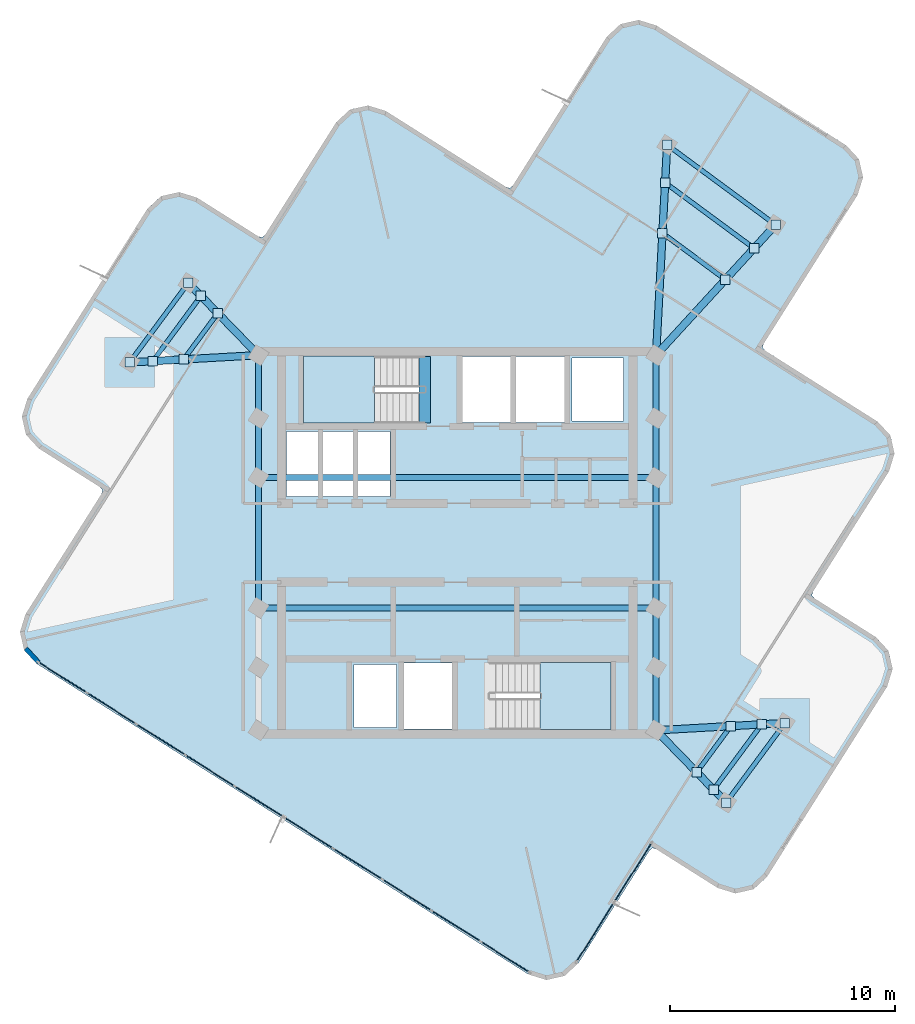
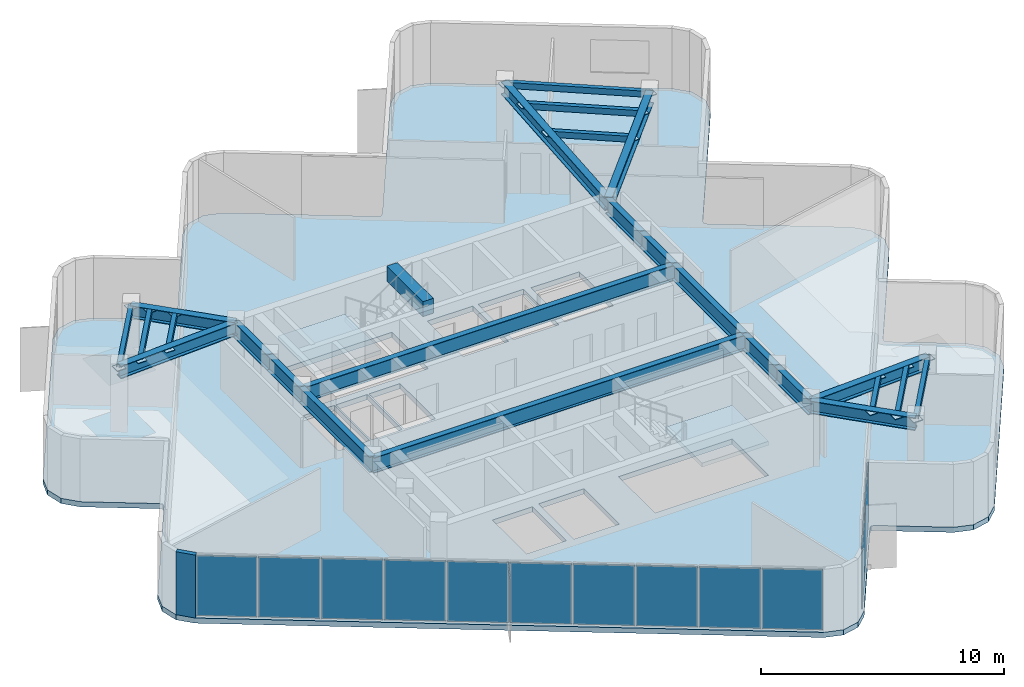
# One storey, part 3 of 8: 30 plates, 26 beams, 3 slabs, 1 wall, 4 elements without a shape of their own.
"""IFC4 building model written with IfcOpenShell, lengths in metres."""

from ifc_helpers import new_model, si_unit, direction, frame, frame_2d, origin, origin_2d, place, context, subcontext, project, spatial, polyline, rectangle, hollow_rectangle, i_section, outline, extrude, material, layer, layer_set, material_profile, profile_set, type_object, element, aggregate, save


model = new_model("IFC4")

# Units and contexts
model_context = context("Model", 3, precision=1e-05, world=origin(), true_north=direction((0.0, 1.0)))
body_context = subcontext(model_context, "Body", "Model", "MODEL_VIEW")
ifc_project = project(units=[si_unit("LENGTHUNIT", "METRE"), si_unit("AREAUNIT", "SQUARE_METRE"), si_unit("VOLUMEUNIT", "CUBIC_METRE"), si_unit("PLANEANGLEUNIT", "RADIAN"), si_unit("MASSUNIT", "GRAM", prefix="KILO")], contexts=[model_context])

# Site, building, storey
site_placement = place(None, origin())
site = spatial("IfcSite", under=ifc_project, at=site_placement, CompositionType="ELEMENT")
building_placement = place(site_placement, origin())
building = spatial("IfcBuilding", under=site, at=building_placement, Name="Solmarez Civic Tower", CompositionType="ELEMENT")
storey_placement = place(building_placement, frame((0.0, 0.0, 271.43994140625)))
storey = spatial("IfcBuildingStorey", under=building, at=storey_placement, Name="L73", CompositionType="ELEMENT", Elevation=271.43994140625)

# Beams
ifc_material_1 = material(Name="Steel S355", Category="steel")
ifc_material_profile_1 = material_profile(ifc_material_1, hollow_rectangle(XDim=0.199951171875, YDim=0.300048828125, WallThickness=0.011962890625, at=origin_2d()), Name="HSS300X200X12")
ifc_profile_set_1 = profile_set([ifc_material_profile_1], Name="Steel S355")
beam_type_1 = type_object("IfcBeamType", Name="BM-JS-HSS300X200", PredefinedType="JOIST", material=ifc_profile_set_1)
beam_1_placement = place(storey_placement, frame((14.1689453125, 14.152099609375, 3.010009765625), z_axis=(-0.804687480311, 0.593698626434, 0.0), x_axis=(-0.593698626434, -0.804687480311, 0.0)))
element("IfcBeam", 1, at=beam_1_placement, inside=storey, type_object=beam_type_1, Name="L73 Secondary Floor Joist BM-L73-EA-T1", PredefinedType="JOIST", context=body_context, shape_type="SweptSolid", body=[
    extrude(hollow_rectangle(XDim=0.199951171875, YDim=0.300048828125, WallThickness=0.011962890625, at=origin_2d()), origin(), (0.0, 0.0, 1.0), 5.999755859375),
])
beam_2_placement = place(storey_placement, frame((11.93505859375, 11.715087890625, 3.010009765625), z_axis=(-0.8046818189, 0.593706299724, 0.0), x_axis=(-0.593706299724, -0.8046818189, 0.0)))
element("IfcBeam", 2, at=beam_2_placement, inside=storey, type_object=beam_type_1, Name="L73 Secondary Floor Joist JS-L73-EA-M11", PredefinedType="JOIST", context=body_context, shape_type="SweptSolid", body=[
    extrude(hollow_rectangle(XDim=0.199951171875, YDim=0.300048828125, WallThickness=0.011962890625, at=origin_2d()), origin(), (0.0, 0.0, 1.0), 3.479736328125),
])
beam_3_placement = place(storey_placement, frame((13.2119140625, 13.10791015625, 3.010009765625), z_axis=(-0.804762606031, 0.593596789019, 0.0), x_axis=(-0.593596789019, -0.804762606031, 0.0)))
element("IfcBeam", 3, at=beam_3_placement, inside=storey, type_object=beam_type_1, Name="L73 Secondary Floor Joist JS-L73-EA-M12", PredefinedType="JOIST", context=body_context, shape_type="SweptSolid", body=[
    extrude(hollow_rectangle(XDim=0.199951171875, YDim=0.300048828125, WallThickness=0.011962890625, at=origin_2d()), origin(), (0.0, 0.0, 1.0), 4.91943359375),
])
beam_4_placement = place(storey_placement, frame((-11.970947265625, 11.56591796875, 3.010009765625), z_axis=(-0.593730834471, -0.804663716219, 0.0), x_axis=(0.804663716219, -0.593730834471, 0.0)))
element("IfcBeam", 4, at=beam_4_placement, inside=storey, type_object=beam_type_1, Name="L73 Secondary Floor Joist BM-L73-NA-T1", PredefinedType="JOIST", context=body_context, shape_type="SweptSolid", body=[
    extrude(hollow_rectangle(XDim=0.199951171875, YDim=0.300048828125, WallThickness=0.011962890625, at=origin_2d()), origin(), (0.0, 0.0, 1.0), 4.3994140625),
])
beam_5_placement = place(storey_placement, frame((-10.659912109375, 10.215087890625, 3.010009765625), z_axis=(-0.593812477683, -0.804603468392, 0.0), x_axis=(0.804603468392, -0.593812477683, 0.0)))
element("IfcBeam", 5, at=beam_5_placement, inside=storey, type_object=beam_type_1, Name="L73 Secondary Floor Joist JS-L73-NA-M11", PredefinedType="JOIST", context=body_context, shape_type="SweptSolid", body=[
    extrude(hollow_rectangle(XDim=0.199951171875, YDim=0.300048828125, WallThickness=0.011962890625, at=origin_2d()), origin(), (0.0, 0.0, 1.0), 2.551513671875),
])
beam_6_placement = place(storey_placement, frame((-11.408935546875, 10.987060546875, 3.010009765625), z_axis=(-0.593734433343, -0.804661060735, 0.0), x_axis=(0.804661060735, -0.593734433343, 0.0)))
element("IfcBeam", 6, at=beam_6_placement, inside=storey, type_object=beam_type_1, Name="L73 Secondary Floor Joist JS-L73-NA-M12", PredefinedType="JOIST", context=body_context, shape_type="SweptSolid", body=[
    extrude(hollow_rectangle(XDim=0.199951171875, YDim=0.300048828125, WallThickness=0.011962890625, at=origin_2d()), origin(), (0.0, 0.0, 1.0), 3.60791015625),
])
beam_7_placement = place(storey_placement, frame((11.970947265625, -11.56591796875, 3.010009765625), z_axis=(0.593730834471, 0.804663716219, 0.0), x_axis=(-0.804663716219, 0.593730834471, 0.0)))
element("IfcBeam", 7, at=beam_7_placement, inside=storey, type_object=beam_type_1, Name="L73 Secondary Floor Joist BM-L73-SA-T1", PredefinedType="JOIST", context=body_context, shape_type="SweptSolid", body=[
    extrude(hollow_rectangle(XDim=0.199951171875, YDim=0.300048828125, WallThickness=0.011962890625, at=origin_2d()), origin(), (0.0, 0.0, 1.0), 4.3994140625),
])
beam_8_placement = place(storey_placement, frame((10.659912109375, -10.215087890625, 3.010009765625), z_axis=(0.593812477683, 0.804603468392, 0.0), x_axis=(-0.804603468392, 0.593812477683, 0.0)))
element("IfcBeam", 8, at=beam_8_placement, inside=storey, type_object=beam_type_1, Name="L73 Secondary Floor Joist JS-L73-SA-M11", PredefinedType="JOIST", context=body_context, shape_type="SweptSolid", body=[
    extrude(hollow_rectangle(XDim=0.199951171875, YDim=0.300048828125, WallThickness=0.011962890625, at=origin_2d()), origin(), (0.0, 0.0, 1.0), 2.551513671875),
])
beam_9_placement = place(storey_placement, frame((11.408935546875, -10.987060546875, 3.010009765625), z_axis=(0.593734433343, 0.804661060735, 0.0), x_axis=(-0.804661060735, 0.593734433343, 0.0)))
element("IfcBeam", 9, at=beam_9_placement, inside=storey, type_object=beam_type_1, Name="L73 Secondary Floor Joist JS-L73-SA-M12", PredefinedType="JOIST", context=body_context, shape_type="SweptSolid", body=[
    extrude(hollow_rectangle(XDim=0.199951171875, YDim=0.300048828125, WallThickness=0.011962890625, at=origin_2d()), origin(), (0.0, 0.0, 1.0), 3.60791015625),
])
ifc_material_2 = material(Name="Concrete C50/60", Category="concrete")
ifc_material_profile_2 = material_profile(ifc_material_2, rectangle(XDim=0.5, YDim=0.75, at=origin_2d()), Name="RC500X750")
ifc_profile_set_2 = profile_set([ifc_material_profile_2], Name="Concrete C50/60")
beam_type_2 = type_object("IfcBeamType", Name="BM-PR-RC500X750", PredefinedType="BEAM", material=ifc_profile_set_2)
beam_10_placement = place(storey_placement, frame((-1.449951171875, 5.340087890625, 3.052978515625), z_axis=(0.0, 1.0, 0.0), x_axis=(-1.0, 0.0, 0.0)))
element("IfcBeam", 10, at=beam_10_placement, inside=storey, type_object=beam_type_2, Name="L73 North Stair Threshold Beam", PredefinedType="BEAM", context=body_context, shape_type="SweptSolid", body=[
    extrude(rectangle(XDim=0.5, YDim=0.75, at=origin_2d()), origin(), (0.0, 0.0, 1.0), 2.9599609375),
])
ifc_material_profile_3 = material_profile(ifc_material_1, i_section(OverallWidth=0.327880859375, OverallDepth=0.6220703125, WebThickness=0.015380859375, FlangeThickness=0.0244140625, at=origin_2d()), Name="W24X131")
ifc_profile_set_3 = profile_set([ifc_material_profile_3], Name="Steel S355")
beam_type_3 = type_object("IfcBeamType", Name="BM-PR-W24X131", PredefinedType="BEAM", material=ifc_profile_set_3)
beam_11_placement = place(storey_placement, frame((8.85009765625, 8.35009765625, 2.84912109375), z_axis=(0.67574850583, 0.737132251953, 0.0), x_axis=(-0.737132251953, 0.67574850583, 0.0)))
element("IfcBeam", 11, at=beam_11_placement, inside=storey, type_object=beam_type_3, Name="L73 Primary Floor Beam BM-L73-EA-R1A", PredefinedType="BEAM", context=body_context, shape_type="SweptSolid", body=[
    extrude(i_section(OverallWidth=0.327880859375, OverallDepth=0.6220703125, WebThickness=0.015380859375, FlangeThickness=0.0244140625, at=origin_2d()), origin(), (0.0, 0.0, 1.0), 7.87109375),
])
beam_12_placement = place(storey_placement, frame((8.85009765625, 8.35009765625, 2.84912109375), z_axis=(0.052359315135, 0.998628310293, 0.0), x_axis=(-0.998628310293, 0.052359315135, 0.0)))
element("IfcBeam", 12, at=beam_12_placement, inside=storey, type_object=beam_type_3, Name="L73 Primary Floor Beam BM-L73-EA-R1B", PredefinedType="BEAM", context=body_context, shape_type="SweptSolid", body=[
    extrude(i_section(OverallWidth=0.327880859375, OverallDepth=0.6220703125, WebThickness=0.015380859375, FlangeThickness=0.0244140625, at=origin_2d()), origin(), (0.0, 0.0, 1.0), 9.376953125),
])
beam_13_placement = place(storey_placement, frame((-8.85009765625, 8.35009765625, 2.84912109375), z_axis=(-0.696430820305, 0.717623935309, 0.0), x_axis=(-0.717623935309, -0.696430820305, 0.0)))
element("IfcBeam", 13, at=beam_13_placement, inside=storey, type_object=beam_type_3, Name="L73 Primary Floor Beam BM-L73-NA-R1A", PredefinedType="BEAM", context=body_context, shape_type="SweptSolid", body=[
    extrude(i_section(OverallWidth=0.327880859375, OverallDepth=0.6220703125, WebThickness=0.015380859375, FlangeThickness=0.0244140625, at=origin_2d()), origin(), (0.0, 0.0, 1.0), 4.481201171875),
])
beam_14_placement = place(storey_placement, frame((-8.85009765625, 8.35009765625, 2.84912109375), z_axis=(-0.998404650863, -0.056463732917, 0.0), x_axis=(0.056463732917, -0.998404650863, 0.0)))
element("IfcBeam", 14, at=beam_14_placement, inside=storey, type_object=beam_type_3, Name="L73 Primary Floor Beam BM-L73-NA-R1B", PredefinedType="BEAM", context=body_context, shape_type="SweptSolid", body=[
    extrude(i_section(OverallWidth=0.327880859375, OverallDepth=0.6220703125, WebThickness=0.015380859375, FlangeThickness=0.0244140625, at=origin_2d()), origin(), (0.0, 0.0, 1.0), 5.7421875),
])
beam_15_placement = place(storey_placement, frame((8.85009765625, -8.35009765625, 2.84912109375), z_axis=(0.696430820305, -0.717623935309, 0.0), x_axis=(0.717623935309, 0.696430820305, 0.0)))
element("IfcBeam", 15, at=beam_15_placement, inside=storey, type_object=beam_type_3, Name="L73 Primary Floor Beam BM-L73-SA-R1A", PredefinedType="BEAM", context=body_context, shape_type="SweptSolid", body=[
    extrude(i_section(OverallWidth=0.327880859375, OverallDepth=0.6220703125, WebThickness=0.015380859375, FlangeThickness=0.0244140625, at=origin_2d()), origin(), (0.0, 0.0, 1.0), 4.481201171875),
])
beam_16_placement = place(storey_placement, frame((8.85009765625, -8.35009765625, 2.84912109375), z_axis=(0.998404650863, 0.056463732917, 0.0), x_axis=(-0.056463732917, 0.998404650863, 0.0)))
element("IfcBeam", 16, at=beam_16_placement, inside=storey, type_object=beam_type_3, Name="L73 Primary Floor Beam BM-L73-SA-R1B", PredefinedType="BEAM", context=body_context, shape_type="SweptSolid", body=[
    extrude(i_section(OverallWidth=0.327880859375, OverallDepth=0.6220703125, WebThickness=0.015380859375, FlangeThickness=0.0244140625, at=origin_2d()), origin(), (0.0, 0.0, 1.0), 5.7421875),
])
ifc_material_profile_4 = material_profile(ifc_material_1, i_section(OverallWidth=0.26708984375, OverallDepth=0.761962890625, WebThickness=0.014404296875, FlangeThickness=0.021484375, at=origin_2d()), Name="W30X116")
ifc_profile_set_4 = profile_set([ifc_material_profile_4], Name="Steel S355")
beam_type_4 = type_object("IfcBeamType", Name="BM-PR-W30X116", PredefinedType="BEAM", material=ifc_profile_set_4)
beam_17_placement = place(storey_placement, frame((-8.85009765625, -2.89990234375, 2.779052734375), z_axis=(0.0, 1.0, 0.0), x_axis=(-1.0, 0.0, 0.0)))
element("IfcBeam", 17, at=beam_17_placement, inside=storey, type_object=beam_type_4, Name="L73 Primary Floor Beam BM-L73-HC2-HC3", PredefinedType="BEAM", context=body_context, shape_type="SweptSolid", body=[
    extrude(i_section(OverallWidth=0.26708984375, OverallDepth=0.761962890625, WebThickness=0.014404296875, FlangeThickness=0.021484375, at=origin_2d()), origin(), (0.0, 0.0, 1.0), 5.7998046875),
])
beam_18_placement = place(storey_placement, frame((-8.85009765625, 2.89990234375, 2.779052734375), z_axis=(0.0, 1.0, 0.0), x_axis=(-1.0, 0.0, 0.0)))
element("IfcBeam", 18, at=beam_18_placement, inside=storey, type_object=beam_type_4, Name="L73 Primary Floor Beam BM-L73-HC3-HC4", PredefinedType="BEAM", context=body_context, shape_type="SweptSolid", body=[
    extrude(i_section(OverallWidth=0.26708984375, OverallDepth=0.761962890625, WebThickness=0.014404296875, FlangeThickness=0.021484375, at=origin_2d()), origin(), (0.0, 0.0, 1.0), 2.650146484375),
])
for number, where, z_axis, x_axis, name in (
    (19, (-8.85009765625, 5.550048828125, 2.779052734375), (0.0, 1.0, 0.0), (-1.0, 0.0, 0.0), "L73 Primary Floor Beam BM-L73-HC4-HC9"),
    (20, (8.85009765625, -8.35009765625, 2.779052734375), (0.0, 1.0, 0.0), (-1.0, 0.0, 0.0), "L73 Primary Floor Beam BM-L73-HC10-HC5"),
):
    element("IfcBeam", number, at=place(storey_placement, frame(where, z_axis=z_axis, x_axis=x_axis)), inside=storey, type_object=beam_type_4, Name=name, PredefinedType="BEAM", context=body_context, shape_type="SweptSolid", body=[
        extrude(i_section(OverallWidth=0.26708984375, OverallDepth=0.761962890625, WebThickness=0.014404296875, FlangeThickness=0.021484375, at=origin_2d()), origin(), (0.0, 0.0, 1.0), 2.800048828125),
    ])
beam_19_placement = place(storey_placement, frame((8.85009765625, -5.550048828125, 2.779052734375), z_axis=(0.0, 1.0, 0.0), x_axis=(-1.0, 0.0, 0.0)))
element("IfcBeam", 21, at=beam_19_placement, inside=storey, type_object=beam_type_4, Name="L73 Primary Floor Beam BM-L73-HC5-HC6", PredefinedType="BEAM", context=body_context, shape_type="SweptSolid", body=[
    extrude(i_section(OverallWidth=0.26708984375, OverallDepth=0.761962890625, WebThickness=0.014404296875, FlangeThickness=0.021484375, at=origin_2d()), origin(), (0.0, 0.0, 1.0), 2.650146484375),
])
beam_20_placement = place(storey_placement, frame((8.85009765625, -2.89990234375, 2.779052734375), z_axis=(0.0, 1.0, 0.0), x_axis=(-1.0, 0.0, 0.0)))
element("IfcBeam", 22, at=beam_20_placement, inside=storey, type_object=beam_type_4, Name="L73 Primary Floor Beam BM-L73-HC6-HC7", PredefinedType="BEAM", context=body_context, shape_type="SweptSolid", body=[
    extrude(i_section(OverallWidth=0.26708984375, OverallDepth=0.761962890625, WebThickness=0.014404296875, FlangeThickness=0.021484375, at=origin_2d()), origin(), (0.0, 0.0, 1.0), 5.7998046875),
])
beam_21_placement = place(storey_placement, frame((8.85009765625, 2.89990234375, 2.779052734375), z_axis=(0.0, 1.0, 0.0), x_axis=(-1.0, 0.0, 0.0)))
element("IfcBeam", 23, at=beam_21_placement, inside=storey, type_object=beam_type_4, Name="L73 Primary Floor Beam BM-L73-HC7-HC8", PredefinedType="BEAM", context=body_context, shape_type="SweptSolid", body=[
    extrude(i_section(OverallWidth=0.26708984375, OverallDepth=0.761962890625, WebThickness=0.014404296875, FlangeThickness=0.021484375, at=origin_2d()), origin(), (0.0, 0.0, 1.0), 2.650146484375),
])
beam_22_placement = place(storey_placement, frame((8.85009765625, 5.550048828125, 2.779052734375), z_axis=(0.0, 1.0, 0.0), x_axis=(-1.0, 0.0, 0.0)))
element("IfcBeam", 24, at=beam_22_placement, inside=storey, type_object=beam_type_4, Name="L73 Primary Floor Beam BM-L73-HC8-HC11", PredefinedType="BEAM", context=body_context, shape_type="SweptSolid", body=[
    extrude(i_section(OverallWidth=0.26708984375, OverallDepth=0.761962890625, WebThickness=0.014404296875, FlangeThickness=0.021484375, at=origin_2d()), origin(), (0.0, 0.0, 1.0), 2.800048828125),
])
for number, where, z_axis, x_axis, name in (
    (25, (-8.85009765625, -2.89990234375, 2.779052734375), (1.0, 0.0, 0.0), (0.0, 1.0, 0.0), "L73 Primary Floor Beam BM-L73-HC2-HC6"),
    (26, (-8.85009765625, 2.89990234375, 2.779052734375), (1.0, 0.0, 0.0), (0.0, 1.0, 0.0), "L73 Primary Floor Beam BM-L73-HC3-HC7"),
):
    element("IfcBeam", number, at=place(storey_placement, frame(where, z_axis=z_axis, x_axis=x_axis)), inside=storey, type_object=beam_type_4, Name=name, PredefinedType="BEAM", context=body_context, shape_type="SweptSolid", body=[
        extrude(i_section(OverallWidth=0.26708984375, OverallDepth=0.761962890625, WebThickness=0.014404296875, FlangeThickness=0.021484375, at=origin_2d()), origin(), (0.0, 0.0, 1.0), 17.7001953125),
    ])

# Curtain wall, plates
ifc_material_3 = material(Name="Bronze Anodised Aluminium EN AW-6063 T6", Category="aluminium")
ifc_layer_1 = layer(ifc_material_3, 0.1650390625)
ifc_layer_set_1 = layer_set([ifc_layer_1], Name="Bronze Anodised Aluminium EN AW-6063 T6")
curtain_wall_type = type_object("IfcCurtainWallType", Name="CW-SYS-4", PredefinedType="NOTDEFINED", material=ifc_layer_set_1)
curtain_wall_1_placement = place(storey_placement, origin())
curtain_wall_1 = element("IfcCurtainWall", 27, at=curtain_wall_1_placement, inside=storey, type_object=curtain_wall_type, Name="L73 Stick-Built Curtain Wall 1", PredefinedType="NOTDEFINED")
ifc_material_4 = material(Name="Solar Control Low-E Laminated Vision Glass", Category="glass")
ifc_layer_2 = layer(ifc_material_4, 0.0400390625)
ifc_layer_set_2 = layer_set([ifc_layer_2], Name="Solar Control Low-E Laminated Vision Glass")
plate_type_1 = type_object("IfcPlateType", Name="CWP-GLAZ-40", PredefinedType="CURTAIN_PANEL", material=ifc_layer_set_2)
plate_1_placement = place(storey_placement, frame((7.826416015625, -14.667236328125, 0.070068359375), z_axis=(0.0, 0.0, 1.0), x_axis=(-0.533933661678, -0.845526371515, 0.0)))
plate_1 = element("IfcPlate", 28, at=plate_1_placement, type_object=plate_type_1, Name="CWS4 panel 1.1", PredefinedType="CURTAIN_PANEL", context=body_context, shape_type="SweptSolid", body=[
    extrude(rectangle(XDim=3.080810546875, YDim=0.0400390625, at=origin_2d()), origin(), (0.0, 0.0, 1.0), 3.02001953125),
])
plate_2_placement = place(storey_placement, frame((6.1494140625, -17.32275390625, 0.070068359375), z_axis=(0.0, 0.0, 1.0), x_axis=(-0.533933661678, -0.845526371515, 0.0)))
plate_2 = element("IfcPlate", 29, at=plate_2_placement, type_object=plate_type_1, Name="CWS4 panel 2.1", PredefinedType="CURTAIN_PANEL", context=body_context, shape_type="SweptSolid", body=[
    extrude(rectangle(XDim=3.080810546875, YDim=0.0400390625, at=origin_2d()), origin(), (0.0, 0.0, 1.0), 3.02001953125),
])
aggregate(curtain_wall_1, [plate_1, plate_2])

curtain_wall_2_placement = place(storey_placement, origin())
curtain_wall_2 = element("IfcCurtainWall", 30, at=curtain_wall_2_placement, inside=storey, type_object=curtain_wall_type, Name="L73 Stick-Built Curtain Wall 2", PredefinedType="NOTDEFINED")
plate_3_placement = place(storey_placement, frame((2.132568359375, -18.438720703125, 0.070068359375), z_axis=(0.0, 0.0, 1.0), x_axis=(-0.845459569089, 0.53403943397, 0.0)))
plate_3 = element("IfcPlate", 31, at=plate_3_placement, type_object=plate_type_1, Name="CWS4 panel 1.1", PredefinedType="CURTAIN_PANEL", context=body_context, shape_type="SweptSolid", body=[
    extrude(rectangle(XDim=2.502197265625, YDim=0.0400390625, at=origin_2d()), origin(), (0.0, 0.0, 1.0), 3.02001953125),
])
plate_4_placement = place(storey_placement, frame((-0.046630859375, -17.0625, 0.070068359375), z_axis=(0.0, 0.0, 1.0), x_axis=(-0.845459569089, 0.53403943397, 0.0)))
plate_4 = element("IfcPlate", 32, at=plate_4_placement, type_object=plate_type_1, Name="CWS4 panel 2.1", PredefinedType="CURTAIN_PANEL", context=body_context, shape_type="SweptSolid", body=[
    extrude(rectangle(XDim=2.5322265625, YDim=0.0400390625, at=origin_2d()), origin(), (0.0, 0.0, 1.0), 3.02001953125),
])
plate_5_placement = place(storey_placement, frame((-2.23828125, -15.677978515625, 0.070068359375), z_axis=(0.0, 0.0, 1.0), x_axis=(-0.845459569089, 0.53403943397, 0.0)))
plate_5 = element("IfcPlate", 33, at=plate_5_placement, type_object=plate_type_1, Name="CWS4 panel 3.1", PredefinedType="CURTAIN_PANEL", context=body_context, shape_type="SweptSolid", body=[
    extrude(rectangle(XDim=2.5322265625, YDim=0.0400390625, at=origin_2d()), origin(), (0.0, 0.0, 1.0), 3.02001953125),
])
plate_6_placement = place(storey_placement, frame((-4.429931640625, -14.293701171875, 0.070068359375), z_axis=(0.0, 0.0, 1.0), x_axis=(-0.845459569089, 0.53403943397, 0.0)))
plate_6 = element("IfcPlate", 34, at=plate_6_placement, type_object=plate_type_1, Name="CWS4 panel 4.1", PredefinedType="CURTAIN_PANEL", context=body_context, shape_type="SweptSolid", body=[
    extrude(rectangle(XDim=2.5322265625, YDim=0.0400390625, at=origin_2d()), origin(), (0.0, 0.0, 1.0), 3.02001953125),
])
plate_7_placement = place(storey_placement, frame((-6.62158203125, -12.9091796875, 0.070068359375), z_axis=(0.0, 0.0, 1.0), x_axis=(-0.845459569089, 0.53403943397, 0.0)))
plate_7 = element("IfcPlate", 35, at=plate_7_placement, type_object=plate_type_1, Name="CWS4 panel 5.1", PredefinedType="CURTAIN_PANEL", context=body_context, shape_type="SweptSolid", body=[
    extrude(rectangle(XDim=2.5322265625, YDim=0.0400390625, at=origin_2d()), origin(), (0.0, 0.0, 1.0), 3.02001953125),
])
plate_8_placement = place(storey_placement, frame((-8.813232421875, -11.52490234375, 0.070068359375), z_axis=(0.0, 0.0, 1.0), x_axis=(-0.845459569089, 0.53403943397, 0.0)))
plate_8 = element("IfcPlate", 36, at=plate_8_placement, type_object=plate_type_1, Name="CWS4 panel 6.1", PredefinedType="CURTAIN_PANEL", context=body_context, shape_type="SweptSolid", body=[
    extrude(rectangle(XDim=2.5322265625, YDim=0.0400390625, at=origin_2d()), origin(), (0.0, 0.0, 1.0), 3.02001953125),
])
plate_9_placement = place(storey_placement, frame((-11.005126953125, -10.140380859375, 0.070068359375), z_axis=(0.0, 0.0, 1.0), x_axis=(-0.845459569089, 0.53403943397, 0.0)))
plate_9 = element("IfcPlate", 37, at=plate_9_placement, type_object=plate_type_1, Name="CWS4 panel 7.1", PredefinedType="CURTAIN_PANEL", context=body_context, shape_type="SweptSolid", body=[
    extrude(rectangle(XDim=2.5322265625, YDim=0.0400390625, at=origin_2d()), origin(), (0.0, 0.0, 1.0), 3.02001953125),
])
plate_10_placement = place(storey_placement, frame((-13.19677734375, -8.756103515625, 0.070068359375), z_axis=(0.0, 0.0, 1.0), x_axis=(-0.845459569089, 0.53403943397, 0.0)))
plate_10 = element("IfcPlate", 38, at=plate_10_placement, type_object=plate_type_1, Name="CWS4 panel 8.1", PredefinedType="CURTAIN_PANEL", context=body_context, shape_type="SweptSolid", body=[
    extrude(rectangle(XDim=2.5322265625, YDim=0.0400390625, at=origin_2d()), origin(), (0.0, 0.0, 1.0), 3.02001953125),
])
plate_11_placement = place(storey_placement, frame((-15.388427734375, -7.37158203125, 0.070068359375), z_axis=(0.0, 0.0, 1.0), x_axis=(-0.845459569089, 0.53403943397, 0.0)))
plate_11 = element("IfcPlate", 39, at=plate_11_placement, type_object=plate_type_1, Name="CWS4 panel 9.1", PredefinedType="CURTAIN_PANEL", context=body_context, shape_type="SweptSolid", body=[
    extrude(rectangle(XDim=2.5322265625, YDim=0.0400390625, at=origin_2d()), origin(), (0.0, 0.0, 1.0), 3.02001953125),
])
plate_12_placement = place(storey_placement, frame((-17.5673828125, -5.9951171875, 0.070068359375), z_axis=(0.0, 0.0, 1.0), x_axis=(-0.845459569089, 0.53403943397, 0.0)))
plate_12 = element("IfcPlate", 40, at=plate_12_placement, type_object=plate_type_1, Name="CWS4 panel 10.1", PredefinedType="CURTAIN_PANEL", context=body_context, shape_type="SweptSolid", body=[
    extrude(rectangle(XDim=2.502197265625, YDim=0.0400390625, at=origin_2d()), origin(), (0.0, 0.0, 1.0), 3.02001953125),
])
aggregate(curtain_wall_2, [plate_3, plate_4, plate_5, plate_6, plate_7, plate_8, plate_9, plate_10, plate_11, plate_12])

# Plates
ifc_layer_3 = layer(ifc_material_1, 0.02392578125)
ifc_layer_set_3 = layer_set([ifc_layer_3], Name="Steel S355")
plate_type_2 = type_object("IfcPlateType", Name="PLT-CAP-380", PredefinedType="USERDEFINED", material=ifc_layer_set_3)
for number, where, z_axis, x_axis, name in (
    (41, (14.1689453125, 14.152099609375, 2.998046875), (0.0, 0.0, 1.0), (1.0, 0.0, 0.0), "Steel Member End Cap Plate CAP-BM-L73-EA-T1-0"),
    (42, (9.341064453125, 17.714111328125, 2.998046875), (0.0, 0.0, 1.0), (1.0, 0.0, 0.0), "Steel Member End Cap Plate CAP-BM-L73-EA-T1-1"),
    (43, (11.93505859375, 11.715087890625, 2.998046875), (0.0, 0.0, 1.0), (1.0, 0.0, 0.0), "Steel Member End Cap Plate CAP-JS-L73-EA-M11-0"),
    (44, (9.135009765625, 13.781005859375, 2.998046875), (0.0, 0.0, 1.0), (1.0, 0.0, 0.0), "Steel Member End Cap Plate CAP-JS-L73-EA-M11-1"),
    (45, (13.2119140625, 13.10791015625, 2.998046875), (0.0, 0.0, 1.0), (1.0, 0.0, 0.0), "Steel Member End Cap Plate CAP-JS-L73-EA-M12-0"),
    (46, (9.2529296875, 16.028076171875, 2.998046875), (0.0, 0.0, 1.0), (1.0, 0.0, 0.0), "Steel Member End Cap Plate CAP-JS-L73-EA-M12-1"),
    (47, (-11.970947265625, 11.56591796875, 2.998046875), (0.0, 0.0, 1.0), (1.0, 0.0, 0.0), "Steel Member End Cap Plate CAP-BM-L73-NA-T1-0"),
    (48, (-14.5830078125, 8.02587890625, 2.998046875), (0.0, 0.0, 1.0), (1.0, 0.0, 0.0), "Steel Member End Cap Plate CAP-BM-L73-NA-T1-1"),
    (49, (-10.659912109375, 10.215087890625, 2.998046875), (0.0, 0.0, 1.0), (1.0, 0.0, 0.0), "Steel Member End Cap Plate CAP-JS-L73-NA-M11-0"),
    (50, (-12.175048828125, 8.162109375, 2.998046875), (0.0, 0.0, 1.0), (1.0, 0.0, 0.0), "Steel Member End Cap Plate CAP-JS-L73-NA-M11-1"),
    (51, (-11.408935546875, 10.987060546875, 2.998046875), (0.0, 0.0, 1.0), (1.0, 0.0, 0.0), "Steel Member End Cap Plate CAP-JS-L73-NA-M12-0"),
    (52, (-13.551025390625, 8.083984375, 2.998046875), (0.0, 0.0, 1.0), (1.0, 0.0, 0.0), "Steel Member End Cap Plate CAP-JS-L73-NA-M12-1"),
    (53, (11.970947265625, -11.56591796875, 2.998046875), (0.0, 0.0, 1.0), (1.0, 0.0, 0.0), "Steel Member End Cap Plate CAP-BM-L73-SA-T1-0"),
    (54, (14.5830078125, -8.02587890625, 2.998046875), (0.0, 0.0, 1.0), (1.0, 0.0, 0.0), "Steel Member End Cap Plate CAP-BM-L73-SA-T1-1"),
    (55, (10.659912109375, -10.215087890625, 2.998046875), (0.0, 0.0, 1.0), (1.0, 0.0, 0.0), "Steel Member End Cap Plate CAP-JS-L73-SA-M11-0"),
    (56, (12.175048828125, -8.162109375, 2.998046875), (0.0, 0.0, 1.0), (1.0, 0.0, 0.0), "Steel Member End Cap Plate CAP-JS-L73-SA-M11-1"),
    (57, (11.408935546875, -10.987060546875, 2.998046875), (0.0, 0.0, 1.0), (1.0, 0.0, 0.0), "Steel Member End Cap Plate CAP-JS-L73-SA-M12-0"),
    (58, (13.551025390625, -8.083984375, 2.998046875), (0.0, 0.0, 1.0), (1.0, 0.0, 0.0), "Steel Member End Cap Plate CAP-JS-L73-SA-M12-1"),
):
    element("IfcPlate", number, at=place(storey_placement, frame(where, z_axis=z_axis, x_axis=x_axis)), inside=storey, type_object=plate_type_2, Name=name, ObjectType="CAP_PLATE", PredefinedType="USERDEFINED", context=body_context, shape_type="SweptSolid", body=[
        extrude(rectangle(XDim=0.419921875, YDim=0.419921875, at=origin_2d()), origin(), (0.0, 0.0, 1.0), 0.02392578125),
    ])

# Stair, slab
stair_type = type_object("IfcStairType", Name="STAIR-DOGLEG-140W-18R-1900", PredefinedType="HALF_TURN_STAIR", material=ifc_material_2)
stair_1_placement = place(storey_placement, origin())
stair_1 = element("IfcStair", 59, at=stair_1_placement, inside=storey, type_object=stair_type, Name="L73 North Core Protected Exit Stair ST-1", PredefinedType="HALF_TURN_STAIR")
ifc_layer_4 = layer(ifc_material_2, 0.199951171875)
ifc_layer_set_4 = layer_set([ifc_layer_4], Name="Concrete C50/60")
slab_type_1 = type_object("IfcSlabType", Name="SLAB-LANDING-200", PredefinedType="LANDING", material=ifc_layer_set_4)
slab_1_placement = place(storey_placement, frame((0.0, 0.0, 1.510009765625)))
slab_1 = element("IfcSlab", 60, at=slab_1_placement, type_object=slab_type_1, Name="ST-1 landing 1", PredefinedType="LANDING", context=body_context, shape_type="SweptSolid", body=[
    extrude(outline(polyline([(-3.68994140625, 8.320068359375), (-6.85009765625, 8.320068359375), (-6.85009765625, 5.320068359375), (-3.68994140625, 5.320068359375), (-3.68994140625, 8.320068359375)])), origin(), (0.0, 0.0, 1.0), 0.199951171875),
])
aggregate(stair_1, [slab_1])

stair_2_placement = place(storey_placement, origin())
stair_2 = element("IfcStair", 61, at=stair_2_placement, inside=storey, type_object=stair_type, Name="L73 South Core Protected Exit Stair ST-2", PredefinedType="HALF_TURN_STAIR")
slab_2_placement = place(storey_placement, frame((0.0, 0.0, 1.510009765625)))
slab_2 = element("IfcSlab", 62, at=slab_2_placement, type_object=slab_type_1, Name="ST-2 landing 1", PredefinedType="LANDING", context=body_context, shape_type="SweptSolid", body=[
    extrude(outline(polyline([(3.68994140625, -8.320068359375), (6.85009765625, -8.320068359375), (6.85009765625, -5.320068359375), (3.68994140625, -5.320068359375), (3.68994140625, -8.320068359375)])), origin(), (0.0, 0.0, 1.0), 0.199951171875),
])
aggregate(stair_2, [slab_2])

# Slab
ifc_layer_5 = layer(ifc_material_2, 0.260009765625)
ifc_layer_set_5 = layer_set([ifc_layer_5], Name="Concrete C50/60")
slab_type_2 = type_object("IfcSlabType", Name="SLAB-TOWER-260", PredefinedType="FLOOR", material=ifc_layer_set_5)
slab_3_placement = place(storey_placement, frame((0.0, 0.0, -0.260009765625)))
element("IfcSlab", 63, at=slab_3_placement, inside=storey, type_object=slab_type_2, Name="L73 Structural Slab", PredefinedType="FLOOR", context=body_context, shape_type="SweptSolid", body=[
    extrude(outline(polyline([(8.847900390625, -13.632080078125), (11.5859375, -15.362060546875), (12.376953125, -15.60791015625), (13.18505859375, -15.426025390625), (13.7939453125, -14.864013671875), (19.134033203125, -6.408935546875), (19.3798828125, -5.618896484375), (19.197998046875, -4.81103515625), (18.635986328125, -4.201904296875), (15.89697265625, -2.471923828125), (15.781005859375, -2.345947265625), (15.83203125, -2.181884765625), (19.217041015625, 3.177978515625), (19.462890625, 3.968994140625), (19.281005859375, 4.777099609375), (18.718994140625, 5.385009765625), (13.697998046875, 8.556884765625), (13.5810546875, 8.68408203125), (13.632080078125, 8.847900390625), (17.819091796875, 15.47607421875), (18.06494140625, 16.26611328125), (17.882080078125, 17.073974609375), (17.321044921875, 17.68310546875), (8.865966796875, 23.02294921875), (8.074951171875, 23.26904296875), (7.26708984375, 23.0869140625), (6.658935546875, 22.52490234375), (2.471923828125, 15.89697265625), (2.345947265625, 15.781005859375), (2.181884765625, 15.83203125), (-3.177978515625, 19.217041015625), (-3.968994140625, 19.462890625), (-4.777099609375, 19.281005859375), (-5.385009765625, 18.718994140625), (-8.556884765625, 13.697998046875), (-8.68408203125, 13.5810546875), (-8.847900390625, 13.632080078125), (-11.5859375, 15.362060546875), (-12.376953125, 15.60791015625), (-13.18505859375, 15.426025390625), (-13.7939453125, 14.864013671875), (-19.134033203125, 6.408935546875), (-19.3798828125, 5.618896484375), (-19.197998046875, 4.81103515625), (-18.635986328125, 4.201904296875), (-15.89697265625, 2.471923828125), (-15.781005859375, 2.345947265625), (-15.83203125, 2.181884765625), (-19.217041015625, -3.177978515625), (-19.462890625, -3.968994140625), (-19.281005859375, -4.777099609375), (-18.718994140625, -5.385009765625), (3.177978515625, -19.217041015625), (3.968994140625, -19.462890625), (4.777099609375, -19.281005859375), (5.385009765625, -18.718994140625), (8.556884765625, -13.697998046875), (8.68408203125, -13.5810546875), (8.847900390625, -13.632080078125)]), holes=[polyline([(-1.449951171875, 8.320068359375), (-6.85009765625, 8.320068359375), (-6.85009765625, 5.320068359375), (-1.449951171875, 5.320068359375), (-1.449951171875, 8.320068359375)]), polyline([(1.449951171875, -8.320068359375), (6.85009765625, -8.320068359375), (6.85009765625, -5.320068359375), (1.449951171875, -5.320068359375), (1.449951171875, -8.320068359375)]), polyline([(0.219970703125, 5.360107421875), (2.3798828125, 5.360107421875), (2.3798828125, 8.280029296875), (0.219970703125, 8.280029296875), (0.219970703125, 5.360107421875)]), polyline([(2.6201171875, 5.360107421875), (4.780029296875, 5.360107421875), (4.780029296875, 8.280029296875), (2.6201171875, 8.280029296875), (2.6201171875, 5.360107421875)]), polyline([(-2.3798828125, -8.280029296875), (-0.219970703125, -8.280029296875), (-0.219970703125, -5.360107421875), (-2.3798828125, -5.360107421875), (-2.3798828125, -8.280029296875)]), polyline([(-7.60009765625, 2.06005859375), (-6.1201171875, 2.06005859375), (-6.1201171875, 4.9599609375), (-7.60009765625, 4.9599609375), (-7.60009765625, 2.06005859375)]), polyline([(-6.0400390625, 2.06005859375), (-4.56005859375, 2.06005859375), (-4.56005859375, 4.9599609375), (-6.0400390625, 4.9599609375), (-6.0400390625, 2.06005859375)]), polyline([(-4.47998046875, 2.06005859375), (-3.0, 2.06005859375), (-3.0, 4.9599609375), (-4.47998046875, 4.9599609375), (-4.47998046875, 2.06005859375)]), polyline([(5.10009765625, 5.419921875), (7.39990234375, 5.419921875), (7.39990234375, 8.219970703125), (5.10009765625, 8.219970703125), (5.10009765625, 5.419921875)]), polyline([(-4.60009765625, -8.219970703125), (-2.699951171875, -8.219970703125), (-2.699951171875, -5.419921875), (-4.60009765625, -5.419921875), (-4.60009765625, -8.219970703125)])]), origin(), (0.0, 0.0, 1.0), 0.260009765625),
])

# Wall
ifc_material_5 = material(Name="Precast concrete C40/50", Category="concrete")
ifc_layer_6 = layer(ifc_material_5, 0.199951171875)
ifc_layer_set_6 = layer_set([ifc_layer_6], Name="Precast concrete C40/50")
wall_type = type_object("IfcWallType", Name="WALL-EXT-200", PredefinedType="SOLIDWALL", material=ifc_layer_set_6)
wall_placement = place(storey_placement, frame((-18.637939453125, -5.325927734375, 0.0), z_axis=(0.0, 0.0, 1.0), x_axis=(-0.678558613405, 0.734546260064, 0.0)))
element("IfcWall", 64, at=wall_placement, inside=storey, type_object=wall_type, Name="L73 Exterior Precast Wall 7", PredefinedType="SOLIDWALL", context=body_context, shape_type="SweptSolid", body=[
    extrude(rectangle(XDim=0.837158203125, YDim=0.199951171875, at=frame_2d((0.41845703125, 0.0))), origin(), (0.0, 0.0, 1.0), 3.16015625),
])

save(model, "model.ifc")
